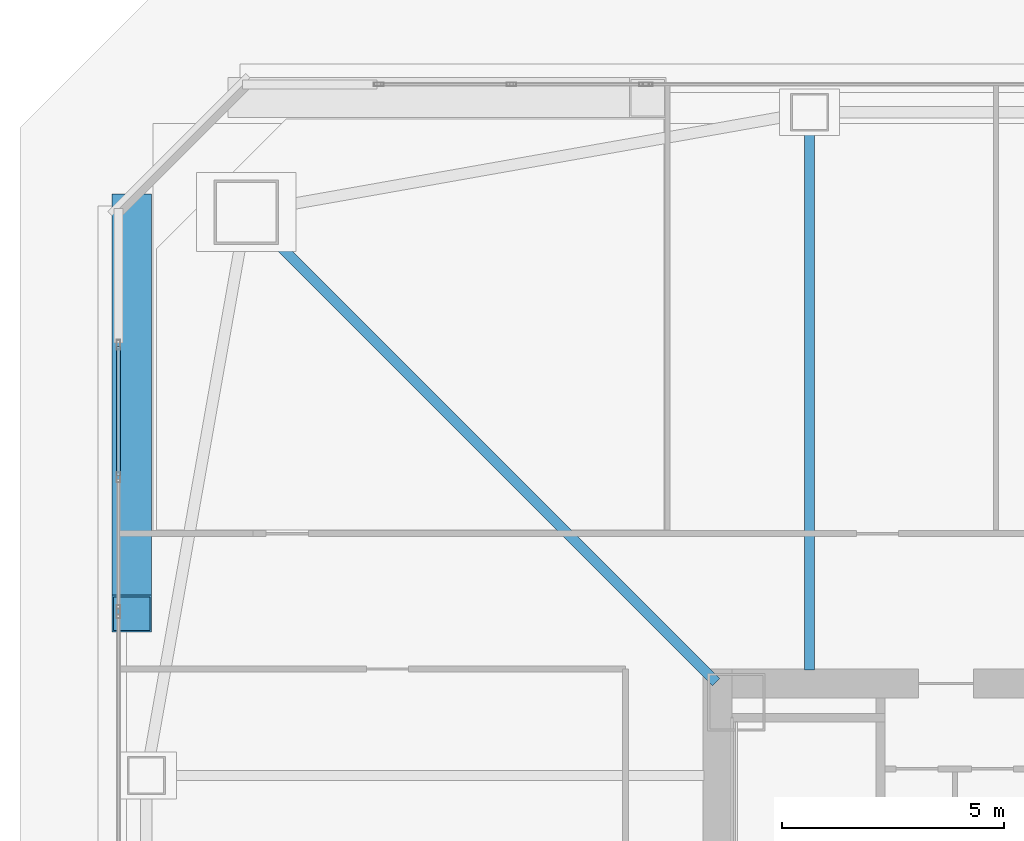
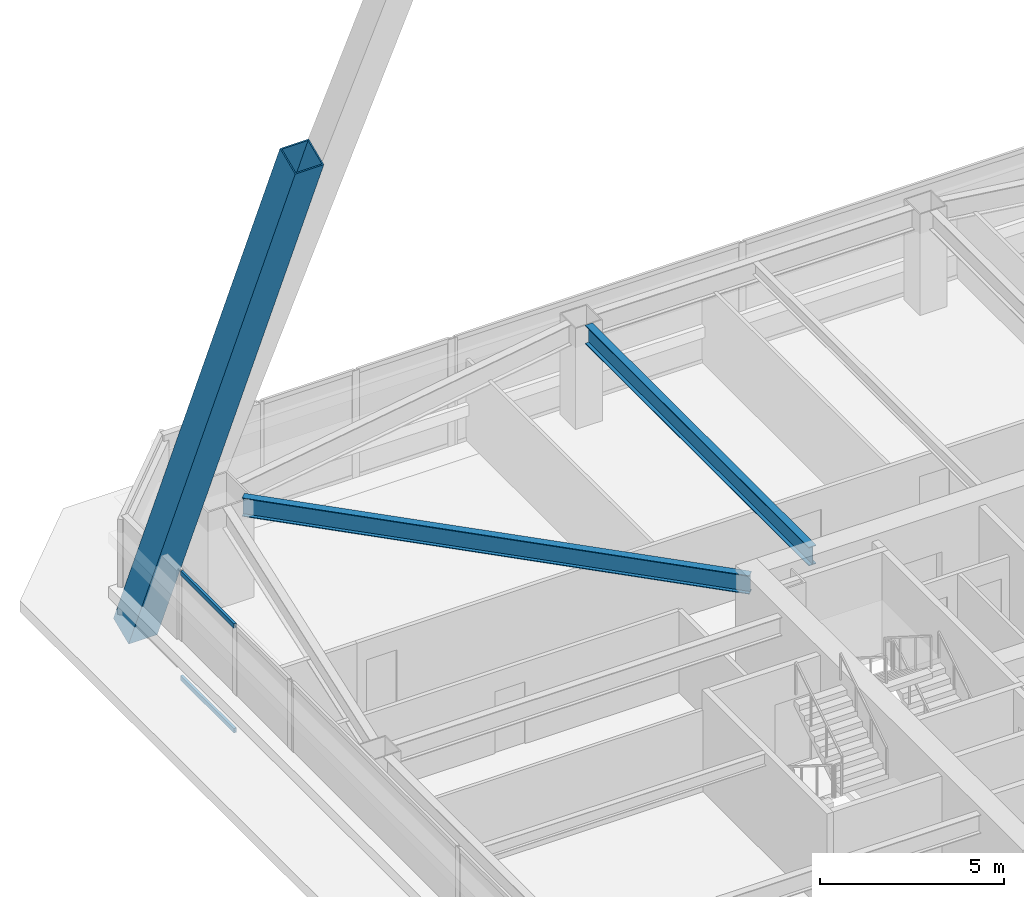
# One storey, part 20 of 67: 3 members, 2 beams, 1 element without a shape of its own.
"""IFC4 building model written with IfcOpenShell, lengths in metres."""

from ifc_helpers import new_model, si_unit, direction, frame, origin, origin_2d, place, context, subcontext, project, spatial, hollow_rectangle, i_section, extrude, material, material_profile, profile_set, type_object, element, aggregate, save


model = new_model("IFC4")

# Units and contexts
model_context = context("Model", 3, precision=1e-05, world=origin(), true_north=direction((0.0, 1.0)))
body_context = subcontext(model_context, "Body", "Model", "MODEL_VIEW")
ifc_project = project(units=[si_unit("LENGTHUNIT", "METRE"), si_unit("AREAUNIT", "SQUARE_METRE"), si_unit("VOLUMEUNIT", "CUBIC_METRE"), si_unit("PLANEANGLEUNIT", "RADIAN"), si_unit("MASSUNIT", "GRAM", prefix="KILO")], contexts=[model_context])

# Site, building, storey
site_placement = place(None, origin())
site = spatial("IfcSite", under=ifc_project, at=site_placement, CompositionType="ELEMENT")
building_placement = place(site_placement, origin())
building = spatial("IfcBuilding", under=site, at=building_placement, Name="Tashvorn Skyway Center", CompositionType="ELEMENT")
storey_placement = place(building_placement, frame((0.0, 0.0, 67.199951171875)))
storey = spatial("IfcBuildingStorey", under=building, at=storey_placement, Name="L17", CompositionType="ELEMENT", Elevation=67.199951171875)

# Beams
ifc_material_1 = material(Name="Steel ASTM A992 Grade 50", Category="steel")
ifc_material_profile_1 = material_profile(ifc_material_1, i_section(OverallWidth=0.22998046875, OverallDepth=0.616943359375, WebThickness=0.01318359375, FlangeThickness=0.022216796875, at=origin_2d()), Name="W24X94")
ifc_profile_set_1 = profile_set([ifc_material_profile_1], Name="Steel ASTM A992 Grade 50")
beam_type = type_object("IfcBeamType", Name="BM-BEAM-W24X94", PredefinedType="BEAM", material=ifc_profile_set_1)
beam_1_placement = place(storey_placement, frame((24.4091796875, 49.5908203125, 3.04150390625), z_axis=(0.707106781187, -0.707106781187, 0.0), x_axis=(0.707106781187, 0.707106781187, 0.0)))
element("IfcBeam", 1, at=beam_1_placement, inside=storey, type_object=beam_type, Name="Tower 1 L17 Primary Floor Girder MC-NW", PredefinedType="BEAM", context=body_context, shape_type="SweptSolid", body=[
    extrude(i_section(OverallWidth=0.22998046875, OverallDepth=0.616943359375, WebThickness=0.01318359375, FlangeThickness=0.022216796875, at=origin_2d()), origin(), (0.0, 0.0, 1.0), 14.261962890625),
])
beam_2_placement = place(storey_placement, frame((36.60009765625, 51.929931640625, 3.04150390625), z_axis=(0.0, -1.0, 0.0), x_axis=(1.0, 0.0, 0.0)))
element("IfcBeam", 2, at=beam_2_placement, inside=storey, type_object=beam_type, Name="Tower 1 L17 Primary Floor Girder FC-N2", PredefinedType="BEAM", context=body_context, shape_type="SweptSolid", body=[
    extrude(i_section(OverallWidth=0.22998046875, OverallDepth=0.616943359375, WebThickness=0.01318359375, FlangeThickness=0.022216796875, at=origin_2d()), origin(), (0.0, 0.0, 1.0), 12.14990234375),
])

# Curtain wall, members
ifc_material_2 = material(Name="Thermally broken bronze-anodized aluminium 6063-T6", Category="aluminium")
curtain_wall_type = type_object("IfcCurtainWallType", Name="CW-CW-Z2", PredefinedType="NOTDEFINED", material=ifc_material_2)
curtain_wall_placement = place(storey_placement, origin())
curtain_wall = element("IfcCurtainWall", 3, at=curtain_wall_placement, inside=storey, type_object=curtain_wall_type, Name="Tower 1 L17 West Unitised Curtain Wall Glazing Group 3", PredefinedType="NOTDEFINED")
ifc_material_profile_2 = material_profile(ifc_material_2, hollow_rectangle(XDim=0.080078125, YDim=0.14990234375, WallThickness=0.00439453125, at=origin_2d()), Name="ALU-TRAN-80x150")
ifc_profile_set_2 = profile_set([ifc_material_profile_2], Name="Thermally broken bronze-anodized aluminium 6063-T6")
member_type_1 = type_object("IfcMemberType", Name="CWT-CW-Z2", PredefinedType="USERDEFINED", material=ifc_profile_set_2)
member_1_placement = place(storey_placement, frame((21.02001953125, 44.159912109375, 0.0400390625), z_axis=(0.0, 1.0, 0.0), x_axis=(-1.0, 0.0, 0.0)))
member_1 = element("IfcMember", 4, at=member_1_placement, type_object=member_type_1, Name="CW-Z2 transom 2.1", ObjectType="TRANSOM", PredefinedType="USERDEFINED", context=body_context, shape_type="SweptSolid", body=[
    extrude(hollow_rectangle(XDim=0.080078125, YDim=0.14990234375, WallThickness=0.00439453125, at=origin_2d()), origin(), (0.0, 0.0, 1.0), 2.91015625),
])
member_2_placement = place(storey_placement, frame((21.02001953125, 44.159912109375, 3.510009765625), z_axis=(0.0, 1.0, 0.0), x_axis=(-1.0, 0.0, 0.0)))
member_2 = element("IfcMember", 5, at=member_2_placement, type_object=member_type_1, Name="CW-Z2 transom 2.2", ObjectType="TRANSOM", PredefinedType="USERDEFINED", context=body_context, shape_type="SweptSolid", body=[
    extrude(hollow_rectangle(XDim=0.080078125, YDim=0.14990234375, WallThickness=0.00439453125, at=origin_2d()), origin(), (0.0, 0.0, 1.0), 2.91015625),
])
aggregate(curtain_wall, [member_1, member_2])

# Member
ifc_material_3 = material(Name="Steel ASTM A572 Grade 50", Category="steel")
ifc_material_profile_3 = material_profile(ifc_material_3, hollow_rectangle(XDim=0.89990234375, YDim=0.89990234375, WallThickness=0.0400390625, at=origin_2d()), Name="BOX900x900x40")
ifc_profile_set_3 = profile_set([ifc_material_profile_3], Name="Steel ASTM A572 Grade 50")
member_type_2 = type_object("IfcMemberType", Name="MEM-MB-900", PredefinedType="BRACE", material=ifc_profile_set_3)
member_3_placement = place(storey_placement, frame((21.320068359375, 50.10009765625, -0.219970703125), z_axis=(0.0, -0.394656720236, 0.918828641898), x_axis=(1.0, 0.0, 0.0)))
element("IfcMember", 6, at=member_3_placement, inside=storey, type_object=member_type_2, Name="Tower 1 Zone 2 W Chevron Mega-Brace L1", PredefinedType="BRACE", context=body_context, shape_type="SweptSolid", body=[
    extrude(hollow_rectangle(XDim=0.89990234375, YDim=0.89990234375, WallThickness=0.0400390625, at=origin_2d()), origin(), (0.0, 0.0, 1.0), 22.931396484375),
])

save(model, "model.ifc")
